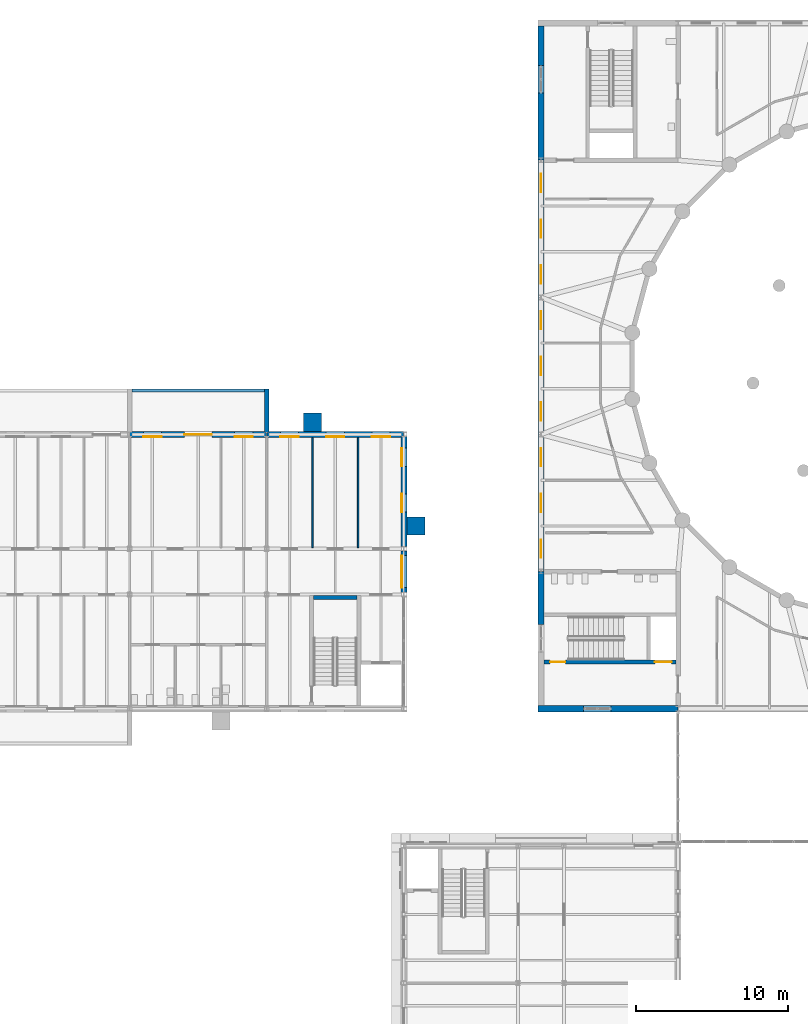
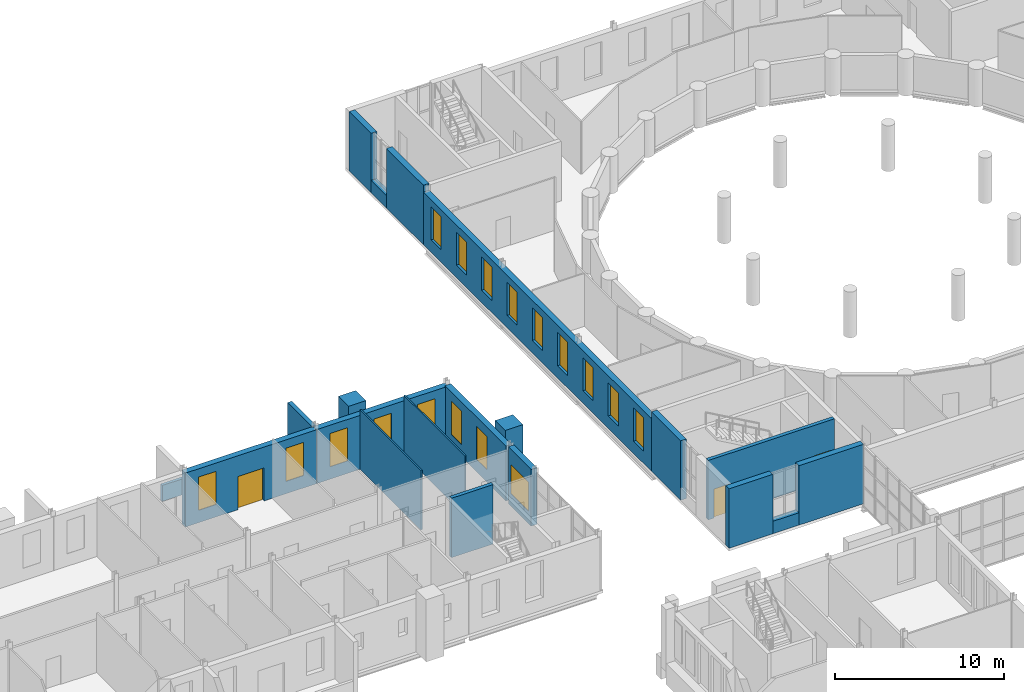
# One storey, part 82 of 134: 20 walls, 17 windows, 3 doors, 20 openings.
"""IFC4 building model written with IfcOpenShell, lengths in metres."""

from ifc_helpers import new_model, si_unit, direction, frame, frame_2d, origin, place, context, subcontext, project, spatial, rectangle, extrude, material, layer, layer_set, type_object, element, fill, save


model = new_model("IFC4")

# Units and contexts
model_context = context("Model", 3, precision=1e-05, world=origin(), true_north=direction((0.0, 1.0)))
body_context = subcontext(model_context, "Body", "Model", "MODEL_VIEW")
ifc_project = project(units=[si_unit("LENGTHUNIT", "METRE"), si_unit("AREAUNIT", "SQUARE_METRE"), si_unit("VOLUMEUNIT", "CUBIC_METRE"), si_unit("PLANEANGLEUNIT", "RADIAN"), si_unit("MASSUNIT", "GRAM", prefix="KILO")], contexts=[model_context])

# Site, building, storey
site_placement = place(None, origin())
site = spatial("IfcSite", under=ifc_project, at=site_placement, CompositionType="ELEMENT")
building_placement = place(site_placement, origin())
building = spatial("IfcBuilding", under=site, at=building_placement, Name="Golden Quay Civic Hall", CompositionType="ELEMENT")
storey_placement = place(building_placement, frame((0.0, 0.0, 5.39990234375)))
storey = spatial("IfcBuildingStorey", under=building, at=storey_placement, Name="L01", CompositionType="ELEMENT", Elevation=5.39990234375)

# Wall
ifc_material_1 = material(Name="Brick, dark clay facing", Category="masonry")
ifc_layer_1 = layer(ifc_material_1, 0.199951171875)
ifc_layer_set_1 = layer_set([ifc_layer_1], Name="Brick balustrade wall 200")
wall_type_1 = type_object("IfcWallType", Name="Brick balustrade wall 200", PredefinedType="STANDARD", material=ifc_layer_set_1)
wall_1_placement = place(storey_placement, frame((36.14990234375, 83.8798828125, 0.0), z_axis=(0.0, 0.0, 1.0), x_axis=(1.0, 0.0, 0.0)))
element("IfcWall", 1, at=wall_1_placement, inside=storey, type_object=wall_type_1, Name="Brick balustrade wall 200 L01 3", PredefinedType="STANDARD", context=body_context, shape_type="SweptSolid", body=[
    extrude(rectangle(XDim=8.7001953125, YDim=0.199951171875, at=frame_2d((4.35009765625, 0.0))), origin(), (0.0, 0.0, 1.0), 1.150146484375),
])

# Wall, openings, door, windows
ifc_material_2 = material(Name="Brick, dark clay facing", Category="masonry")
ifc_layer_2 = layer(ifc_material_2, 0.39990234375)
ifc_layer_set_2 = layer_set([ifc_layer_2], Name="Brick external wall 400")
wall_type_2 = type_object("IfcWallType", Name="Brick external wall 400", PredefinedType="STANDARD", material=ifc_layer_set_2)
wall_2_placement = place(storey_placement, frame((36.00927734375, 81.0, 0.0), z_axis=(0.0, 0.0, 1.0), x_axis=(1.0, 0.0, 0.0)))
wall_2 = element("IfcWall", 2, at=wall_2_placement, inside=storey, type_object=wall_type_2, Name="Brick external wall 400 L01 4", PredefinedType="STANDARD", context=body_context, shape_type="SweptSolid", body=[
    extrude(rectangle(XDim=8.9814453125, YDim=0.39990234375, at=frame_2d((4.49072265625, 0.0))), origin(), (0.0, 0.0, 1.0), 3.900146484375),
])
opening_1_placement = place(wall_2_placement, frame((3.5908203125, 0.0, 0.0)))
opening_1 = element("IfcOpeningElement", 3, at=opening_1_placement, cuts=wall_2, Name="Opening L01-D003", PredefinedType="OPENING", context=body_context, shape_type="SweptSolid", body=[
    extrude(rectangle(XDim=1.800048828125, YDim=2.39990234375, at=frame_2d((0.89990234375, 1.199951171875))), frame((0.0, 0.2099609375, 0.0), z_axis=(0.0, -1.0, 0.0), x_axis=(1.0, 0.0, 0.0)), (0.0, 0.0, 1.0), 0.419921875),
])
opening_2_placement = place(wall_2_placement, frame((0.890869140625, 0.0, 0.89990234375)))
opening_2 = element("IfcOpeningElement", 4, at=opening_2_placement, cuts=wall_2, Name="Opening WN7", PredefinedType="OPENING", context=body_context, shape_type="SweptSolid", body=[
    extrude(rectangle(XDim=1.199951171875, YDim=2.39990234375, at=frame_2d((0.60009765625, 1.199951171875))), frame((0.0, 0.2099609375, 0.0), z_axis=(0.0, -1.0, 0.0), x_axis=(1.0, 0.0, 0.0)), (0.0, 0.0, 1.0), 0.419921875),
])
opening_3_placement = place(wall_2_placement, frame((6.890869140625, 0.0, 0.89990234375)))
opening_3 = element("IfcOpeningElement", 5, at=opening_3_placement, cuts=wall_2, Name="Opening WN7", PredefinedType="OPENING", context=body_context, shape_type="SweptSolid", body=[
    extrude(rectangle(XDim=1.199951171875, YDim=2.39990234375, at=frame_2d((0.60009765625, 1.199951171875))), frame((0.0, 0.2099609375, 0.0), z_axis=(0.0, -1.0, 0.0), x_axis=(1.0, 0.0, 0.0)), (0.0, 0.0, 1.0), 0.419921875),
])
ifc_material_3 = material(Name="Aluminium frame, glazed", Category="aluminium")
door_type_1 = type_object("IfcDoorType", Name="Glazed double terrace door 1800 x 2400", OperationType="DOUBLE_DOOR_SINGLE_SWING", PredefinedType="DOOR", material=ifc_material_3)
door_1_placement = place(opening_1_placement, origin())
door_1 = element("IfcDoor", 6, at=door_1_placement, inside=storey, type_object=door_type_1, Name="Door L01-D003", OperationType="DOUBLE_DOOR_SINGLE_SWING", OverallHeight=2.39990234375, OverallWidth=1.800048828125, PredefinedType="DOOR", context=body_context, shape_type="SweptSolid", body=[
    extrude(rectangle(XDim=1.800048828125, YDim=2.39990234375, at=frame_2d((0.89990234375, 1.199951171875))), frame((0.0, 0.02490234375, 0.0), z_axis=(0.0, -1.0, 0.0), x_axis=(1.0, 0.0, 0.0)), (0.0, 0.0, 1.0), 0.050048828125),
])
fill(opening_1, door_1)
ifc_material_4 = material(Name="Aluminium frame, double glazed", Category="aluminium")
window_type_1 = type_object("IfcWindowType", Name="Window 1200 x 2400", PartitioningType="SINGLE_PANEL", PredefinedType="WINDOW", material=ifc_material_4)
window_1_placement = place(opening_2_placement, origin())
window_1 = element("IfcWindow", 7, at=window_1_placement, inside=storey, type_object=window_type_1, Name="Window 1200 x 2400 L01 9", OverallHeight=2.39990234375, OverallWidth=1.199951171875, PartitioningType="SINGLE_PANEL", PredefinedType="WINDOW", context=body_context, shape_type="SweptSolid", body=[
    extrude(rectangle(XDim=1.199951171875, YDim=2.39990234375, at=frame_2d((0.60009765625, 1.199951171875))), frame((0.0, -0.119873046875, 0.0), z_axis=(0.0, -1.0, 0.0), x_axis=(1.0, 0.0, 0.0)), (0.0, 0.0, 1.0), 0.06005859375),
])
fill(opening_2, window_1)
window_2_placement = place(opening_3_placement, origin())
window_2 = element("IfcWindow", 8, at=window_2_placement, inside=storey, type_object=window_type_1, Name="Window 1200 x 2400 L01 10", OverallHeight=2.39990234375, OverallWidth=1.199951171875, PartitioningType="SINGLE_PANEL", PredefinedType="WINDOW", context=body_context, shape_type="SweptSolid", body=[
    extrude(rectangle(XDim=1.199951171875, YDim=2.39990234375, at=frame_2d((0.60009765625, 1.199951171875))), frame((0.0, -0.119873046875, 0.0), z_axis=(0.0, -1.0, 0.0), x_axis=(1.0, 0.0, 0.0)), (0.0, 0.0, 1.0), 0.06005859375),
])
fill(opening_3, window_2)

# Wall, openings, windows
wall_3_placement = place(storey_placement, frame((45.00927734375, 81.0, 0.0), z_axis=(0.0, 0.0, 1.0), x_axis=(1.0, 0.0, 0.0)))
wall_3 = element("IfcWall", 9, at=wall_3_placement, inside=storey, type_object=wall_type_2, Name="Brick external wall 400 L01 5", PredefinedType="STANDARD", context=body_context, shape_type="SweptSolid", body=[
    extrude(rectangle(XDim=8.9814453125, YDim=0.39990234375, at=frame_2d((4.49072265625, 0.0))), origin(), (0.0, 0.0, 1.0), 3.900146484375),
])
opening_4_placement = place(wall_3_placement, frame((0.890869140625, 0.0, 0.89990234375)))
opening_4 = element("IfcOpeningElement", 10, at=opening_4_placement, cuts=wall_3, Name="Opening WN7", PredefinedType="OPENING", context=body_context, shape_type="SweptSolid", body=[
    extrude(rectangle(XDim=1.199951171875, YDim=2.39990234375, at=frame_2d((0.60009765625, 1.199951171875))), frame((0.0, 0.2099609375, 0.0), z_axis=(0.0, -1.0, 0.0), x_axis=(1.0, 0.0, 0.0)), (0.0, 0.0, 1.0), 0.419921875),
])
opening_5_placement = place(wall_3_placement, frame((3.890869140625, 0.0, 0.89990234375)))
opening_5 = element("IfcOpeningElement", 11, at=opening_5_placement, cuts=wall_3, Name="Opening WN7", PredefinedType="OPENING", context=body_context, shape_type="SweptSolid", body=[
    extrude(rectangle(XDim=1.199951171875, YDim=2.39990234375, at=frame_2d((0.60009765625, 1.199951171875))), frame((0.0, 0.2099609375, 0.0), z_axis=(0.0, -1.0, 0.0), x_axis=(1.0, 0.0, 0.0)), (0.0, 0.0, 1.0), 0.419921875),
])
opening_6_placement = place(wall_3_placement, frame((6.890869140625, 0.0, 0.89990234375)))
opening_6 = element("IfcOpeningElement", 12, at=opening_6_placement, cuts=wall_3, Name="Opening WN7", PredefinedType="OPENING", context=body_context, shape_type="SweptSolid", body=[
    extrude(rectangle(XDim=1.199951171875, YDim=2.39990234375, at=frame_2d((0.60009765625, 1.199951171875))), frame((0.0, 0.2099609375, 0.0), z_axis=(0.0, -1.0, 0.0), x_axis=(1.0, 0.0, 0.0)), (0.0, 0.0, 1.0), 0.419921875),
])
window_3_placement = place(opening_4_placement, origin())
window_3 = element("IfcWindow", 13, at=window_3_placement, inside=storey, type_object=window_type_1, Name="Window 1200 x 2400 L01 11", OverallHeight=2.39990234375, OverallWidth=1.199951171875, PartitioningType="SINGLE_PANEL", PredefinedType="WINDOW", context=body_context, shape_type="SweptSolid", body=[
    extrude(rectangle(XDim=1.199951171875, YDim=2.39990234375, at=frame_2d((0.60009765625, 1.199951171875))), frame((0.0, -0.119873046875, 0.0), z_axis=(0.0, -1.0, 0.0), x_axis=(1.0, 0.0, 0.0)), (0.0, 0.0, 1.0), 0.06005859375),
])
fill(opening_4, window_3)
window_4_placement = place(opening_5_placement, origin())
window_4 = element("IfcWindow", 14, at=window_4_placement, inside=storey, type_object=window_type_1, Name="Window 1200 x 2400 L01 12", OverallHeight=2.39990234375, OverallWidth=1.199951171875, PartitioningType="SINGLE_PANEL", PredefinedType="WINDOW", context=body_context, shape_type="SweptSolid", body=[
    extrude(rectangle(XDim=1.199951171875, YDim=2.39990234375, at=frame_2d((0.60009765625, 1.199951171875))), frame((0.0, -0.119873046875, 0.0), z_axis=(0.0, -1.0, 0.0), x_axis=(1.0, 0.0, 0.0)), (0.0, 0.0, 1.0), 0.06005859375),
])
fill(opening_5, window_4)
window_5_placement = place(opening_6_placement, origin())
window_5 = element("IfcWindow", 15, at=window_5_placement, inside=storey, type_object=window_type_1, Name="Window 1200 x 2400 L01 13", OverallHeight=2.39990234375, OverallWidth=1.199951171875, PartitioningType="SINGLE_PANEL", PredefinedType="WINDOW", context=body_context, shape_type="SweptSolid", body=[
    extrude(rectangle(XDim=1.199951171875, YDim=2.39990234375, at=frame_2d((0.60009765625, 1.199951171875))), frame((0.0, -0.119873046875, 0.0), z_axis=(0.0, -1.0, 0.0), x_axis=(1.0, 0.0, 0.0)), (0.0, 0.0, 1.0), 0.06005859375),
])
fill(opening_6, window_5)

# Wall, opening, window
wall_4_placement = place(storey_placement, frame((54.0, 73.35498046875, 0.0), z_axis=(0.0, 0.0, 1.0), x_axis=(0.0, -1.0, 0.0)))
wall_4 = element("IfcWall", 16, at=wall_4_placement, inside=storey, type_object=wall_type_2, Name="Brick external wall 400 L01 6", PredefinedType="STANDARD", context=body_context, shape_type="SweptSolid", body=[
    extrude(rectangle(XDim=2.7099609375, YDim=0.39990234375, at=frame_2d((1.35498046875, 0.0))), origin(), (0.0, 0.0, 1.0), 4.10009765625),
])
opening_7_placement = place(wall_4_placement, frame((0.304931640625, 0.0, 0.89990234375)))
opening_7 = element("IfcOpeningElement", 17, at=opening_7_placement, cuts=wall_4, Name="Opening WN2", PredefinedType="OPENING", context=body_context, shape_type="SweptSolid", body=[
    extrude(rectangle(XDim=2.10009765625, YDim=2.10009765625, at=frame_2d((1.050048828125, 1.050048828125))), frame((0.0, 0.2099609375, 0.0), z_axis=(0.0, -1.0, 0.0), x_axis=(1.0, 0.0, 0.0)), (0.0, 0.0, 1.0), 0.419921875),
])
ifc_material_5 = material(Name="Aluminium frame, double glazed", Category="aluminium")
window_type_2 = type_object("IfcWindowType", Name="Corridor end window 2100 x 2100", PartitioningType="SINGLE_PANEL", PredefinedType="WINDOW", material=ifc_material_5)
window_6_placement = place(opening_7_placement, origin())
window_6 = element("IfcWindow", 18, at=window_6_placement, inside=storey, type_object=window_type_2, Name="Corridor end window 2100 x 2100 L01 1", OverallHeight=2.10009765625, OverallWidth=2.10009765625, PartitioningType="SINGLE_PANEL", PredefinedType="WINDOW", context=body_context, shape_type="SweptSolid", body=[
    extrude(rectangle(XDim=2.10009765625, YDim=2.10009765625, at=frame_2d((1.050048828125, 1.050048828125))), frame((0.0, -0.119873046875, 0.0), z_axis=(0.0, -1.0, 0.0), x_axis=(1.0, 0.0, 0.0)), (0.0, 0.0, 1.0), 0.06005859375),
])
fill(opening_7, window_6)

# Wall, openings, windows
wall_5_placement = place(storey_placement, frame((54.0, 80.85498046875, 0.0), z_axis=(0.0, 0.0, 1.0), x_axis=(0.0, -1.0, 0.0)))
wall_5 = element("IfcWall", 19, at=wall_5_placement, inside=storey, type_object=wall_type_2, Name="Brick external wall 400 L01 7", PredefinedType="STANDARD", context=body_context, shape_type="SweptSolid", body=[
    extrude(rectangle(XDim=7.2099609375, YDim=0.39990234375, at=frame_2d((3.60498046875, 0.0))), origin(), (0.0, 0.0, 1.0), 3.97021484375),
])
opening_8_placement = place(wall_5_placement, frame((3.7548828125, 0.0, 0.89990234375)))
opening_8 = element("IfcOpeningElement", 20, at=opening_8_placement, cuts=wall_5, Name="Opening WN7", PredefinedType="OPENING", context=body_context, shape_type="SweptSolid", body=[
    extrude(rectangle(XDim=1.199951171875, YDim=2.39990234375, at=frame_2d((0.60009765625, 1.199951171875))), frame((0.0, 0.2099609375, 0.0), z_axis=(0.0, -1.0, 0.0), x_axis=(1.0, 0.0, 0.0)), (0.0, 0.0, 1.0), 0.419921875),
])
opening_9_placement = place(wall_5_placement, frame((0.7548828125, 0.0, 0.89990234375)))
opening_9 = element("IfcOpeningElement", 21, at=opening_9_placement, cuts=wall_5, Name="Opening WN7", PredefinedType="OPENING", context=body_context, shape_type="SweptSolid", body=[
    extrude(rectangle(XDim=1.199951171875, YDim=2.39990234375, at=frame_2d((0.60009765625, 1.199951171875))), frame((0.0, 0.2099609375, 0.0), z_axis=(0.0, -1.0, 0.0), x_axis=(1.0, 0.0, 0.0)), (0.0, 0.0, 1.0), 0.419921875),
])
window_7_placement = place(opening_8_placement, origin())
window_7 = element("IfcWindow", 22, at=window_7_placement, inside=storey, type_object=window_type_1, Name="Window 1200 x 2400 L01 14", OverallHeight=2.39990234375, OverallWidth=1.199951171875, PartitioningType="SINGLE_PANEL", PredefinedType="WINDOW", context=body_context, shape_type="SweptSolid", body=[
    extrude(rectangle(XDim=1.199951171875, YDim=2.39990234375, at=frame_2d((0.60009765625, 1.199951171875))), frame((0.0, -0.119873046875, 0.0), z_axis=(0.0, -1.0, 0.0), x_axis=(1.0, 0.0, 0.0)), (0.0, 0.0, 1.0), 0.06005859375),
])
fill(opening_8, window_7)
window_8_placement = place(opening_9_placement, origin())
window_8 = element("IfcWindow", 23, at=window_8_placement, inside=storey, type_object=window_type_1, Name="Window 1200 x 2400 L01 15", OverallHeight=2.39990234375, OverallWidth=1.199951171875, PartitioningType="SINGLE_PANEL", PredefinedType="WINDOW", context=body_context, shape_type="SweptSolid", body=[
    extrude(rectangle(XDim=1.199951171875, YDim=2.39990234375, at=frame_2d((0.60009765625, 1.199951171875))), frame((0.0, -0.119873046875, 0.0), z_axis=(0.0, -1.0, 0.0), x_axis=(1.0, 0.0, 0.0)), (0.0, 0.0, 1.0), 0.06005859375),
])
fill(opening_9, window_8)

# Walls
ifc_material_6 = material(Name="Brick, dark clay facing", Category="masonry")
ifc_layer_3 = layer(ifc_material_6, 0.300048828125)
ifc_layer_set_3 = layer_set([ifc_layer_3], Name="Brick loggia wall 300")
wall_type_3 = type_object("IfcWallType", Name="Brick loggia wall 300", PredefinedType="STANDARD", material=ifc_layer_set_3)
wall_6_placement = place(storey_placement, frame((45.0, 81.14501953125, 0.0), z_axis=(0.0, 0.0, 1.0), x_axis=(0.0, 1.0, 0.0)))
element("IfcWall", 24, at=wall_6_placement, inside=storey, type_object=wall_type_3, Name="Brick loggia wall 300 L01 5", PredefinedType="STANDARD", context=body_context, shape_type="SweptSolid", body=[
    extrude(rectangle(XDim=2.85498046875, YDim=0.300048828125, at=frame_2d((1.427490234375, 0.0))), origin(), (0.0, 0.0, 1.0), 3.97021484375),
])
ifc_material_7 = material(Name="Brick, dark clay facing", Category="masonry")
ifc_layer_4 = layer(ifc_material_7, 1.199951171875)
ifc_layer_set_4 = layer_set([ifc_layer_4], Name="Brick pilaster 1200 x 1200")
wall_type_4 = type_object("IfcWallType", Name="Brick pilaster 1200 x 1200", PredefinedType="STANDARD", material=ifc_layer_set_4)
for number, where, z_axis, x_axis, name in (
    (25, (47.39990234375, 81.800048828125, 0.0), (0.0, 0.0, 1.0), (1.0, 0.0, 0.0), "Brick pilaster 1200 x 1200 L01 2"),
    (26, (54.800048828125, 74.39990234375, 0.0), (0.0, 0.0, 1.0), (0.0, 1.0, 0.0), "Brick pilaster 1200 x 1200 L01 3"),
):
    element("IfcWall", number, at=place(storey_placement, frame(where, z_axis=z_axis, x_axis=x_axis)), inside=storey, type_object=wall_type_4, Name=name, PredefinedType="STANDARD", context=body_context, shape_type="SweptSolid", body=[
        extrude(rectangle(XDim=1.2001953125, YDim=1.199951171875, at=frame_2d((0.60009765625, 0.0))), origin(), (0.0, 0.0, 1.0), 4.5),
    ])
ifc_material_8 = material(Name="Concrete C40/50", Category="concrete")
ifc_layer_5 = layer(ifc_material_8, 0.25)
ifc_layer_set_5 = layer_set([ifc_layer_5], Name="Concrete core wall 250, Concrete C40/50")
wall_type_5 = type_object("IfcWallType", Name="Concrete core wall 250", PredefinedType="SHEAR", material=ifc_layer_set_5)
wall_7_placement = place(storey_placement, frame((48.074951171875, 70.300048828125, 0.0), z_axis=(0.0, 0.0, 1.0), x_axis=(1.0, 0.0, 0.0)))
element("IfcWall", 27, at=wall_7_placement, inside=storey, type_object=wall_type_5, Name="Core wall NW-E-W3", PredefinedType="SHEAR", context=body_context, shape_type="SweptSolid", body=[
    extrude(rectangle(XDim=2.85009765625, YDim=0.25, at=frame_2d((1.425048828125, 0.0))), origin(), (0.0, 0.0, 1.0), 4.300048828125),
])
ifc_material_9 = material(Name="Plasterboard on steel studs", Category="steel")
ifc_layer_6 = layer(ifc_material_9, 0.10009765625)
ifc_layer_set_6 = layer_set([ifc_layer_6], Name="Partition 100 stud")
wall_type_6 = type_object("IfcWallType", Name="Partition 100 stud", PredefinedType="PARTITIONING", material=ifc_layer_set_6)
for number, where, z_axis, x_axis, name in (
    (28, (48.0, 73.574951171875, 0.0), (0.0, 0.0, 1.0), (0.0, 1.0, 0.0), "Partition L01-010"),
    (29, (51.0, 73.574951171875, 0.0), (0.0, 0.0, 1.0), (0.0, 1.0, 0.0), "Partition L01-011"),
):
    element("IfcWall", number, at=place(storey_placement, frame(where, z_axis=z_axis, x_axis=x_axis)), inside=storey, type_object=wall_type_6, Name=name, PredefinedType="PARTITIONING", context=body_context, shape_type="SweptSolid", body=[
        extrude(rectangle(XDim=7.22509765625, YDim=0.10009765625, at=frame_2d((3.612548828125, 0.0))), origin(), (0.0, 0.0, 1.0), 4.300048828125),
    ])

# Wall, openings, doors
ifc_material_10 = material(Name="Concrete C40/50", Category="concrete")
ifc_layer_7 = layer(ifc_material_10, 0.25)
ifc_layer_set_7 = layer_set([ifc_layer_7], Name="Reinforced concrete shaft wall 250, Concrete C40/50")
wall_type_7 = type_object("IfcWallType", Name="Reinforced concrete shaft wall 250", PredefinedType="SHEAR", material=ifc_layer_set_7)
wall_8_placement = place(storey_placement, frame((63.199951171875, 66.074951171875, 0.0), z_axis=(0.0, 0.0, 1.0), x_axis=(1.0, 0.0, 0.0)))
wall_8 = element("IfcWall", 30, at=wall_8_placement, inside=storey, type_object=wall_type_7, Name="Shaft wall SW 1", PredefinedType="SHEAR", context=body_context, shape_type="SweptSolid", body=[
    extrude(rectangle(XDim=8.650146484375, YDim=0.25, at=frame_2d((4.3251953125, 0.0))), origin(), (0.0, 0.0, 1.0), 4.300048828125),
])
opening_10_placement = place(wall_8_placement, frame((0.39990234375, 0.0, 0.0)))
opening_10 = element("IfcOpeningElement", 31, at=opening_10_placement, cuts=wall_8, Name="Opening L01-D164", PredefinedType="OPENING", context=body_context, shape_type="SweptSolid", body=[
    extrude(rectangle(XDim=1.0, YDim=2.10009765625, at=frame_2d((0.5, 1.050048828125))), frame((0.0, 0.135009765625, 0.0), z_axis=(0.0, -1.0, 0.0), x_axis=(1.0, 0.0, 0.0)), (0.0, 0.0, 1.0), 0.27001953125),
])
opening_11_placement = place(wall_8_placement, frame((7.27490234375, 0.0, 0.0)))
opening_11 = element("IfcOpeningElement", 32, at=opening_11_placement, cuts=wall_8, Name="Opening L01-D167", PredefinedType="OPENING", context=body_context, shape_type="SweptSolid", body=[
    extrude(rectangle(XDim=1.10009765625, YDim=2.10009765625, at=frame_2d((0.550048828125, 1.050048828125))), frame((0.0, 0.135009765625, 0.0), z_axis=(0.0, -1.0, 0.0), x_axis=(1.0, 0.0, 0.0)), (0.0, 0.0, 1.0), 0.27001953125),
])
ifc_material_11 = material(Name="Steel", Category="steel")
door_type_2 = type_object("IfcDoorType", Name="Lift landing door 1100 x 2100", OperationType="SLIDING_TO_LEFT", PredefinedType="DOOR", material=ifc_material_11)
door_2_placement = place(opening_11_placement, frame((1.10009765625, 0.0, 0.0), z_axis=(0.0, 0.0, 1.0), x_axis=(-1.0, 0.0, 0.0)))
door_2 = element("IfcDoor", 33, at=door_2_placement, inside=storey, type_object=door_type_2, Name="Lift SW landing door", OperationType="SLIDING_TO_LEFT", OverallHeight=2.10009765625, OverallWidth=1.10009765625, PredefinedType="DOOR", context=body_context, shape_type="SweptSolid", body=[
    extrude(rectangle(XDim=1.10009765625, YDim=2.10009765625, at=frame_2d((0.550048828125, 1.050048828125))), frame((0.0, 0.025146484375, 0.0), z_axis=(0.0, -1.0, 0.0), x_axis=(1.0, 0.0, 0.0)), (0.0, 0.0, 1.0), 0.050048828125),
])
fill(opening_11, door_2)
ifc_material_12 = material(Name="Steel", Category="steel")
door_type_3 = type_object("IfcDoorType", Name="Steel fire door FD60 1100 x 2100", OperationType="SINGLE_SWING_LEFT", PredefinedType="DOOR", material=ifc_material_12)
door_3_placement = place(opening_10_placement, origin())
door_3 = element("IfcDoor", 34, at=door_3_placement, inside=storey, type_object=door_type_3, Name="Stair door SW", OperationType="SINGLE_SWING_LEFT", OverallHeight=2.10009765625, OverallWidth=1.0, PredefinedType="DOOR", context=body_context, shape_type="SweptSolid", body=[
    extrude(rectangle(XDim=1.0, YDim=2.10009765625, at=frame_2d((0.5, 1.050048828125))), frame((0.0, 0.02490234375, 0.0), z_axis=(0.0, -1.0, 0.0), x_axis=(1.0, 0.0, 0.0)), (0.0, 0.0, 1.0), 0.050048828125),
])
fill(opening_10, door_3)

# Wall, openings, windows
ifc_material_13 = material(Name="Brick masonry with render", Category="masonry")
ifc_layer_8 = layer(ifc_material_13, 0.39990234375)
ifc_layer_set_8 = layer_set([ifc_layer_8], Name="Rendered brick external wall 400")
wall_type_8 = type_object("IfcWallType", Name="Rendered brick external wall 400", PredefinedType="STANDARD", material=ifc_layer_set_8)
wall_9_placement = place(storey_placement, frame((63.0, 72.0, 0.0), z_axis=(0.0, 0.0, 1.0), x_axis=(0.0, 1.0, 0.0)))
wall_9 = element("IfcWall", 35, at=wall_9_placement, inside=storey, type_object=wall_type_8, Name="Base wall W 72", PredefinedType="STANDARD", context=body_context, shape_type="SweptSolid", body=[
    extrude(rectangle(XDim=27.0, YDim=0.39990234375, at=frame_2d((13.5, 0.0))), origin(), (0.0, 0.0, 1.0), 3.81005859375),
])
opening_12_placement = place(wall_9_placement, frame((0.89990234375, 0.0, 0.89990234375)))
opening_12 = element("IfcOpeningElement", 36, at=opening_12_placement, cuts=wall_9, Name="Opening WN7", PredefinedType="OPENING", context=body_context, shape_type="SweptSolid", body=[
    extrude(rectangle(XDim=1.199951171875, YDim=2.39990234375, at=frame_2d((0.60009765625, 1.199951171875))), frame((0.0, 0.2099609375, 0.0), z_axis=(0.0, -1.0, 0.0), x_axis=(1.0, 0.0, 0.0)), (0.0, 0.0, 1.0), 0.419921875),
])
opening_13_placement = place(wall_9_placement, frame((3.89990234375, 0.0, 0.89990234375)))
opening_13 = element("IfcOpeningElement", 37, at=opening_13_placement, cuts=wall_9, Name="Opening WN7", PredefinedType="OPENING", context=body_context, shape_type="SweptSolid", body=[
    extrude(rectangle(XDim=1.199951171875, YDim=2.39990234375, at=frame_2d((0.60009765625, 1.199951171875))), frame((0.0, 0.2099609375, 0.0), z_axis=(0.0, -1.0, 0.0), x_axis=(1.0, 0.0, 0.0)), (0.0, 0.0, 1.0), 0.419921875),
])
opening_14_placement = place(wall_9_placement, frame((6.89990234375, 0.0, 0.89990234375)))
opening_14 = element("IfcOpeningElement", 38, at=opening_14_placement, cuts=wall_9, Name="Opening WN7", PredefinedType="OPENING", context=body_context, shape_type="SweptSolid", body=[
    extrude(rectangle(XDim=1.199951171875, YDim=2.39990234375, at=frame_2d((0.60009765625, 1.199951171875))), frame((0.0, 0.2099609375, 0.0), z_axis=(0.0, -1.0, 0.0), x_axis=(1.0, 0.0, 0.0)), (0.0, 0.0, 1.0), 0.419921875),
])
opening_15_placement = place(wall_9_placement, frame((9.89990234375, 0.0, 0.89990234375)))
opening_15 = element("IfcOpeningElement", 39, at=opening_15_placement, cuts=wall_9, Name="Opening WN7", PredefinedType="OPENING", context=body_context, shape_type="SweptSolid", body=[
    extrude(rectangle(XDim=1.199951171875, YDim=2.39990234375, at=frame_2d((0.60009765625, 1.199951171875))), frame((0.0, 0.2099609375, 0.0), z_axis=(0.0, -1.0, 0.0), x_axis=(1.0, 0.0, 0.0)), (0.0, 0.0, 1.0), 0.419921875),
])
opening_16_placement = place(wall_9_placement, frame((12.89990234375, 0.0, 0.89990234375)))
opening_16 = element("IfcOpeningElement", 40, at=opening_16_placement, cuts=wall_9, Name="Opening WN7", PredefinedType="OPENING", context=body_context, shape_type="SweptSolid", body=[
    extrude(rectangle(XDim=1.199951171875, YDim=2.39990234375, at=frame_2d((0.60009765625, 1.199951171875))), frame((0.0, 0.2099609375, 0.0), z_axis=(0.0, -1.0, 0.0), x_axis=(1.0, 0.0, 0.0)), (0.0, 0.0, 1.0), 0.419921875),
])
opening_17_placement = place(wall_9_placement, frame((15.89990234375, 0.0, 0.89990234375)))
opening_17 = element("IfcOpeningElement", 41, at=opening_17_placement, cuts=wall_9, Name="Opening WN7", PredefinedType="OPENING", context=body_context, shape_type="SweptSolid", body=[
    extrude(rectangle(XDim=1.199951171875, YDim=2.39990234375, at=frame_2d((0.60009765625, 1.199951171875))), frame((0.0, 0.2099609375, 0.0), z_axis=(0.0, -1.0, 0.0), x_axis=(1.0, 0.0, 0.0)), (0.0, 0.0, 1.0), 0.419921875),
])
opening_18_placement = place(wall_9_placement, frame((18.89990234375, 0.0, 0.89990234375)))
opening_18 = element("IfcOpeningElement", 42, at=opening_18_placement, cuts=wall_9, Name="Opening WN7", PredefinedType="OPENING", context=body_context, shape_type="SweptSolid", body=[
    extrude(rectangle(XDim=1.199951171875, YDim=2.39990234375, at=frame_2d((0.60009765625, 1.199951171875))), frame((0.0, 0.2099609375, 0.0), z_axis=(0.0, -1.0, 0.0), x_axis=(1.0, 0.0, 0.0)), (0.0, 0.0, 1.0), 0.419921875),
])
opening_19_placement = place(wall_9_placement, frame((21.89990234375, 0.0, 0.89990234375)))
opening_19 = element("IfcOpeningElement", 43, at=opening_19_placement, cuts=wall_9, Name="Opening WN7", PredefinedType="OPENING", context=body_context, shape_type="SweptSolid", body=[
    extrude(rectangle(XDim=1.199951171875, YDim=2.39990234375, at=frame_2d((0.60009765625, 1.199951171875))), frame((0.0, 0.2099609375, 0.0), z_axis=(0.0, -1.0, 0.0), x_axis=(1.0, 0.0, 0.0)), (0.0, 0.0, 1.0), 0.419921875),
])
opening_20_placement = place(wall_9_placement, frame((24.89990234375, 0.0, 0.89990234375)))
opening_20 = element("IfcOpeningElement", 44, at=opening_20_placement, cuts=wall_9, Name="Opening WN7", PredefinedType="OPENING", context=body_context, shape_type="SweptSolid", body=[
    extrude(rectangle(XDim=1.199951171875, YDim=2.39990234375, at=frame_2d((0.60009765625, 1.199951171875))), frame((0.0, 0.2099609375, 0.0), z_axis=(0.0, -1.0, 0.0), x_axis=(1.0, 0.0, 0.0)), (0.0, 0.0, 1.0), 0.419921875),
])
window_9_placement = place(opening_12_placement, origin())
window_9 = element("IfcWindow", 45, at=window_9_placement, inside=storey, type_object=window_type_1, Name="Window W1", OverallHeight=2.39990234375, OverallWidth=1.199951171875, PartitioningType="SINGLE_PANEL", PredefinedType="WINDOW", context=body_context, shape_type="SweptSolid", body=[
    extrude(rectangle(XDim=1.199951171875, YDim=2.39990234375, at=frame_2d((0.60009765625, 1.199951171875))), frame((0.0, 0.030029296875, 0.0), z_axis=(0.0, -1.0, 0.0), x_axis=(1.0, 0.0, 0.0)), (0.0, 0.0, 1.0), 0.06005859375),
])
fill(opening_12, window_9)
window_10_placement = place(opening_13_placement, origin())
window_10 = element("IfcWindow", 46, at=window_10_placement, inside=storey, type_object=window_type_1, Name="Window W2", OverallHeight=2.39990234375, OverallWidth=1.199951171875, PartitioningType="SINGLE_PANEL", PredefinedType="WINDOW", context=body_context, shape_type="SweptSolid", body=[
    extrude(rectangle(XDim=1.199951171875, YDim=2.39990234375, at=frame_2d((0.60009765625, 1.199951171875))), frame((0.0, 0.030029296875, 0.0), z_axis=(0.0, -1.0, 0.0), x_axis=(1.0, 0.0, 0.0)), (0.0, 0.0, 1.0), 0.06005859375),
])
fill(opening_13, window_10)
window_11_placement = place(opening_14_placement, origin())
window_11 = element("IfcWindow", 47, at=window_11_placement, inside=storey, type_object=window_type_1, Name="Window W3", OverallHeight=2.39990234375, OverallWidth=1.199951171875, PartitioningType="SINGLE_PANEL", PredefinedType="WINDOW", context=body_context, shape_type="SweptSolid", body=[
    extrude(rectangle(XDim=1.199951171875, YDim=2.39990234375, at=frame_2d((0.60009765625, 1.199951171875))), frame((0.0, 0.030029296875, 0.0), z_axis=(0.0, -1.0, 0.0), x_axis=(1.0, 0.0, 0.0)), (0.0, 0.0, 1.0), 0.06005859375),
])
fill(opening_14, window_11)
window_12_placement = place(opening_15_placement, origin())
window_12 = element("IfcWindow", 48, at=window_12_placement, inside=storey, type_object=window_type_1, Name="Window W4", OverallHeight=2.39990234375, OverallWidth=1.199951171875, PartitioningType="SINGLE_PANEL", PredefinedType="WINDOW", context=body_context, shape_type="SweptSolid", body=[
    extrude(rectangle(XDim=1.199951171875, YDim=2.39990234375, at=frame_2d((0.60009765625, 1.199951171875))), frame((0.0, 0.030029296875, 0.0), z_axis=(0.0, -1.0, 0.0), x_axis=(1.0, 0.0, 0.0)), (0.0, 0.0, 1.0), 0.06005859375),
])
fill(opening_15, window_12)
window_13_placement = place(opening_16_placement, origin())
window_13 = element("IfcWindow", 49, at=window_13_placement, inside=storey, type_object=window_type_1, Name="Window W5", OverallHeight=2.39990234375, OverallWidth=1.199951171875, PartitioningType="SINGLE_PANEL", PredefinedType="WINDOW", context=body_context, shape_type="SweptSolid", body=[
    extrude(rectangle(XDim=1.199951171875, YDim=2.39990234375, at=frame_2d((0.60009765625, 1.199951171875))), frame((0.0, 0.030029296875, 0.0), z_axis=(0.0, -1.0, 0.0), x_axis=(1.0, 0.0, 0.0)), (0.0, 0.0, 1.0), 0.06005859375),
])
fill(opening_16, window_13)
window_14_placement = place(opening_17_placement, origin())
window_14 = element("IfcWindow", 50, at=window_14_placement, inside=storey, type_object=window_type_1, Name="Window W6", OverallHeight=2.39990234375, OverallWidth=1.199951171875, PartitioningType="SINGLE_PANEL", PredefinedType="WINDOW", context=body_context, shape_type="SweptSolid", body=[
    extrude(rectangle(XDim=1.199951171875, YDim=2.39990234375, at=frame_2d((0.60009765625, 1.199951171875))), frame((0.0, 0.030029296875, 0.0), z_axis=(0.0, -1.0, 0.0), x_axis=(1.0, 0.0, 0.0)), (0.0, 0.0, 1.0), 0.06005859375),
])
fill(opening_17, window_14)
window_15_placement = place(opening_18_placement, origin())
window_15 = element("IfcWindow", 51, at=window_15_placement, inside=storey, type_object=window_type_1, Name="Window W7", OverallHeight=2.39990234375, OverallWidth=1.199951171875, PartitioningType="SINGLE_PANEL", PredefinedType="WINDOW", context=body_context, shape_type="SweptSolid", body=[
    extrude(rectangle(XDim=1.199951171875, YDim=2.39990234375, at=frame_2d((0.60009765625, 1.199951171875))), frame((0.0, 0.030029296875, 0.0), z_axis=(0.0, -1.0, 0.0), x_axis=(1.0, 0.0, 0.0)), (0.0, 0.0, 1.0), 0.06005859375),
])
fill(opening_18, window_15)
window_16_placement = place(opening_19_placement, origin())
window_16 = element("IfcWindow", 52, at=window_16_placement, inside=storey, type_object=window_type_1, Name="Window W8", OverallHeight=2.39990234375, OverallWidth=1.199951171875, PartitioningType="SINGLE_PANEL", PredefinedType="WINDOW", context=body_context, shape_type="SweptSolid", body=[
    extrude(rectangle(XDim=1.199951171875, YDim=2.39990234375, at=frame_2d((0.60009765625, 1.199951171875))), frame((0.0, 0.030029296875, 0.0), z_axis=(0.0, -1.0, 0.0), x_axis=(1.0, 0.0, 0.0)), (0.0, 0.0, 1.0), 0.06005859375),
])
fill(opening_19, window_16)
window_17_placement = place(opening_20_placement, origin())
window_17 = element("IfcWindow", 53, at=window_17_placement, inside=storey, type_object=window_type_1, Name="Window W9", OverallHeight=2.39990234375, OverallWidth=1.199951171875, PartitioningType="SINGLE_PANEL", PredefinedType="WINDOW", context=body_context, shape_type="SweptSolid", body=[
    extrude(rectangle(XDim=1.199951171875, YDim=2.39990234375, at=frame_2d((0.60009765625, 1.199951171875))), frame((0.0, 0.030029296875, 0.0), z_axis=(0.0, -1.0, 0.0), x_axis=(1.0, 0.0, 0.0)), (0.0, 0.0, 1.0), 0.06005859375),
])
fill(opening_20, window_17)

# Walls
ifc_material_14 = material(Name="Brick masonry with render", Category="masonry")
ifc_layer_9 = layer(ifc_material_14, 0.39990234375)
ifc_layer_set_9 = layer_set([ifc_layer_9], Name="Rendered brick external wall 400 fire EI 120")
wall_type_9 = type_object("IfcWallType", Name="Rendered brick external wall 400 fire EI 120", PredefinedType="STANDARD", material=ifc_layer_set_9)
wall_10_placement = place(storey_placement, frame((62.800048828125, 63.0, 0.0), z_axis=(0.0, 0.0, 1.0), x_axis=(1.0, 0.0, 0.0)))
element("IfcWall", 54, at=wall_10_placement, inside=storey, type_object=wall_type_9, Name="Base wall S 62", PredefinedType="STANDARD", context=body_context, shape_type="SweptSolid", body=[
    extrude(rectangle(XDim=3.0, YDim=0.39990234375, at=frame_2d((1.5, 0.0))), origin(), (0.0, 0.0, 1.0), 4.300048828125),
])
wall_11_placement = place(storey_placement, frame((67.60009765625, 63.0, 0.0), z_axis=(0.0, 0.0, 1.0), x_axis=(1.0, 0.0, 0.0)))
element("IfcWall", 55, at=wall_11_placement, inside=storey, type_object=wall_type_9, Name="Base wall S 62 (beyond the bay)", PredefinedType="STANDARD", context=body_context, shape_type="SweptSolid", body=[
    extrude(rectangle(XDim=4.39990234375, YDim=0.39990234375, at=frame_2d((2.199951171875, 0.0))), origin(), (0.0, 0.0, 1.0), 4.300048828125),
])
wall_12_placement = place(storey_placement, frame((65.800048828125, 63.0, 0.0), z_axis=(0.0, 0.0, 1.0), x_axis=(1.0, 0.0, 0.0)))
element("IfcWall", 56, at=wall_12_placement, inside=storey, type_object=wall_type_9, Name="Base wall S 62 sill", PredefinedType="STANDARD", context=body_context, shape_type="SweptSolid", body=[
    extrude(rectangle(XDim=1.800048828125, YDim=0.39990234375, at=frame_2d((0.89990234375, 0.0))), origin(), (0.0, 0.0, 1.0), 0.900146484375),
])
wall_13_placement = place(storey_placement, frame((63.0, 68.52490234375, 0.0), z_axis=(0.0, 0.0, 1.0), x_axis=(0.0, 1.0, 0.0)))
element("IfcWall", 57, at=wall_13_placement, inside=storey, type_object=wall_type_9, Name="Base wall W 63 (beyond the bay)", PredefinedType="STANDARD", context=body_context, shape_type="SweptSolid", body=[
    extrude(rectangle(XDim=3.47509765625, YDim=0.39990234375, at=frame_2d((1.737548828125, 0.0))), origin(), (0.0, 0.0, 1.0), 4.300048828125),
])
wall_14_placement = place(storey_placement, frame((63.0, 99.0, 0.0), z_axis=(0.0, 0.0, 1.0), x_axis=(0.0, 1.0, 0.0)))
element("IfcWall", 58, at=wall_14_placement, inside=storey, type_object=wall_type_9, Name="Base wall W 99", PredefinedType="STANDARD", context=body_context, shape_type="SweptSolid", body=[
    extrude(rectangle(XDim=4.39990234375, YDim=0.39990234375, at=frame_2d((2.199951171875, 0.0))), origin(), (0.0, 0.0, 1.0), 4.300048828125),
])
wall_15_placement = place(storey_placement, frame((63.0, 105.199951171875, 0.0), z_axis=(0.0, 0.0, 1.0), x_axis=(0.0, 1.0, 0.0)))
element("IfcWall", 59, at=wall_15_placement, inside=storey, type_object=wall_type_9, Name="Base wall W 99 (beyond the bay)", PredefinedType="STANDARD", context=body_context, shape_type="SweptSolid", body=[
    extrude(rectangle(XDim=2.60009765625, YDim=0.39990234375, at=frame_2d((1.300048828125, 0.0))), origin(), (0.0, 0.0, 1.0), 4.300048828125),
])
wall_16_placement = place(storey_placement, frame((63.0, 103.39990234375, 0.0), z_axis=(0.0, 0.0, 1.0), x_axis=(0.0, 1.0, 0.0)))
element("IfcWall", 60, at=wall_16_placement, inside=storey, type_object=wall_type_9, Name="Base wall W 99 sill", PredefinedType="STANDARD", context=body_context, shape_type="SweptSolid", body=[
    extrude(rectangle(XDim=1.800048828125, YDim=0.39990234375, at=frame_2d((0.89990234375, 0.0))), origin(), (0.0, 0.0, 1.0), 0.900146484375),
])

save(model, "model.ifc")
